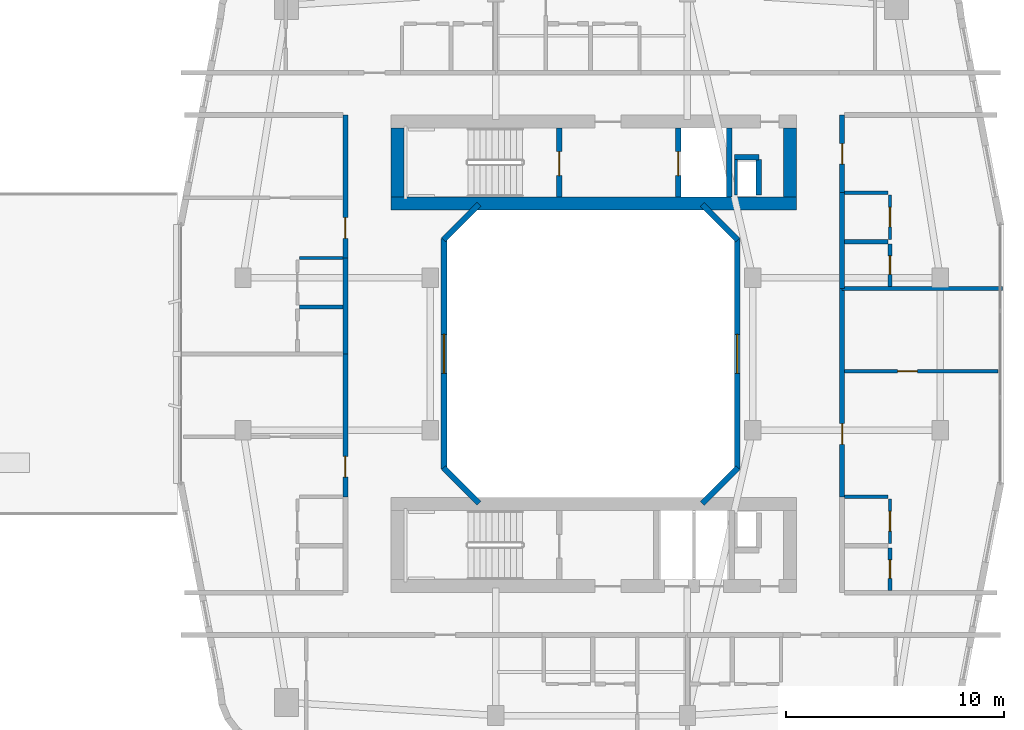
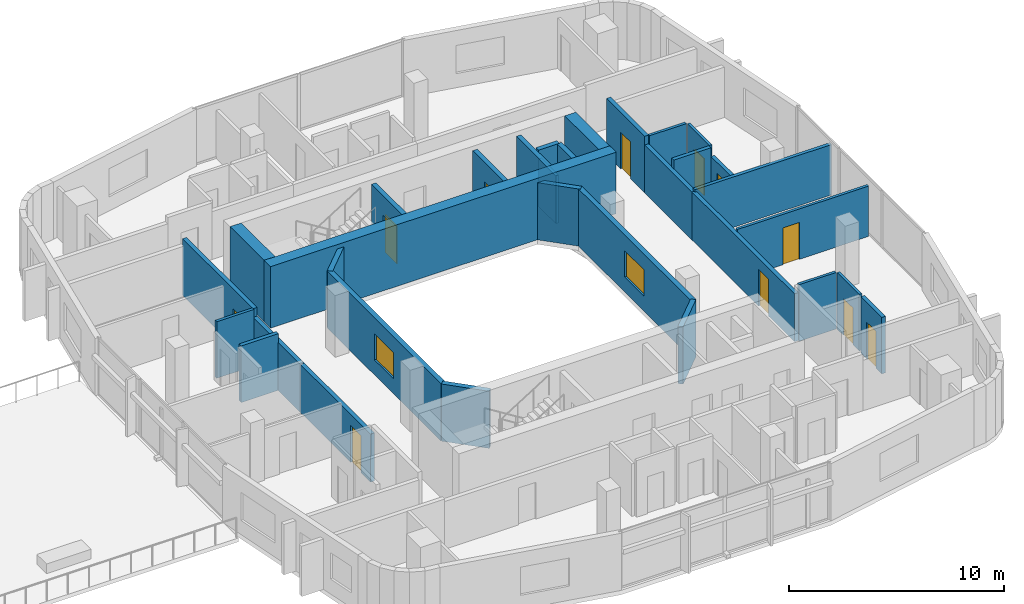
# One storey, part 18 of 25: 32 walls, 11 doors, 2 windows, 13 openings.
"""IFC4 building model written with IfcOpenShell, lengths in metres."""

from ifc_helpers import new_model, si_unit, derived_unit, direction, frame, frame_2d, origin, place, context, subcontext, project, spatial, rectangle, extrude, material, layer, layer_set, type_object, element, fill, save


model = new_model("IFC4")

# Units and contexts
model_context = context("Model", 3, precision=1e-05, world=origin(), true_north=direction((0.0, 1.0)))
body_context = subcontext(model_context, "Body", "Model", "MODEL_VIEW")
ifc_project = project(units=[si_unit("LENGTHUNIT", "METRE"), si_unit("AREAUNIT", "SQUARE_METRE"), si_unit("VOLUMEUNIT", "CUBIC_METRE"), si_unit("PLANEANGLEUNIT", "RADIAN"), si_unit("MASSUNIT", "GRAM", prefix="KILO"), derived_unit("THERMALTRANSMITTANCEUNIT", [(si_unit("POWERUNIT", "WATT"), 1), (si_unit("LENGTHUNIT", "METRE"), -2), (si_unit("THERMODYNAMICTEMPERATUREUNIT", "KELVIN"), -1)])], contexts=[model_context])

# Site, building, storey
site_placement = place(None, origin())
site = spatial("IfcSite", under=ifc_project, at=site_placement, CompositionType="ELEMENT")
building_placement = place(site_placement, origin())
building = spatial("IfcBuilding", under=site, at=building_placement, Name="Kivonza Crest Hotel", CompositionType="ELEMENT")
storey_placement = place(building_placement, frame((0.0, 0.0, 24.0)))
storey = spatial("IfcBuildingStorey", under=building, at=storey_placement, Name="L05", CompositionType="ELEMENT", Elevation=24.0)

# Wall
ifc_material_1 = material(Name="High-density acoustic masonry inter-tenancy wall", Category="masonry")
ifc_layer_1 = layer(ifc_material_1, 0.179931640625)
ifc_layer_set_1 = layer_set([ifc_layer_1], Name="High-density acoustic masonry inter-tenancy wall")
wall_type_1 = type_object("IfcWallType", Name="WL-ACOU-180", PredefinedType="SOLIDWALL", material=ifc_layer_set_1)
wall_1_placement = place(storey_placement, frame((88.5, 28.0, 0.0), z_axis=(0.0, 0.0, 1.0), x_axis=(1.0, 0.0, 0.0)))
element("IfcWall", 1, at=wall_1_placement, inside=storey, type_object=wall_type_1, Name="L05 interior partition WA-L05-T2E-DIV1", PredefinedType="SOLIDWALL", context=body_context, shape_type="SweptSolid", body=[
    extrude(rectangle(XDim=7.360107421875, YDim=0.179931640625, at=frame_2d((3.68017578125, 0.0))), origin(), (0.0, 0.0, 1.0), 2.864990234375),
])

# Wall, opening, door
ifc_material_2 = material(Name="Autoclaved aerated concrete blockwork", Category="masonry")
ifc_layer_2 = layer(ifc_material_2, 0.219970703125)
ifc_layer_set_2 = layer_set([ifc_layer_2], Name="Autoclaved aerated concrete blockwork")
wall_type_2 = type_object("IfcWallType", Name="WL-ACOU-220", PredefinedType="SOLIDWALL", material=ifc_layer_set_2)
wall_2_placement = place(storey_placement, frame((65.699951171875, 18.43994140625, 0.0), z_axis=(0.0, 0.0, 1.0), x_axis=(0.0, 1.0, 0.0)))
wall_2 = element("IfcWall", 2, at=wall_2_placement, inside=storey, type_object=wall_type_2, Name="L05 interior partition WA-L05-A05-MCORR", PredefinedType="SOLIDWALL", context=body_context, shape_type="SweptSolid", body=[
    extrude(rectangle(XDim=6.56005859375, YDim=0.219970703125, at=frame_2d((3.280029296875, 0.0))), origin(), (0.0, 0.0, 1.0), 2.72509765625),
])
opening_1_placement = place(wall_2_placement, frame((0.905029296875, 0.0, 0.0)))
opening_1 = element("IfcOpeningElement", 3, at=opening_1_placement, cuts=wall_2, Name="Opening DU-60", PredefinedType="OPENING", context=body_context, shape_type="SweptSolid", body=[
    extrude(rectangle(XDim=0.949951171875, YDim=2.10009765625, at=frame_2d((0.47509765625, 1.050048828125))), frame((0.0, 0.1201171875, 0.0), z_axis=(0.0, -1.0, 0.0), x_axis=(1.0, 0.0, 0.0)), (0.0, 0.0, 1.0), 0.239990234375),
])
ifc_material_3 = material(Name="Hardwood timber oak", Category="wood")
door_type_1 = type_object("IfcDoorType", Name="DR-UNIT-950", OperationType="NOTDEFINED", PredefinedType="DOOR", material=ifc_material_3)
door_1_placement = place(opening_1_placement, origin())
door_1 = element("IfcDoor", 4, at=door_1_placement, inside=storey, type_object=door_type_1, Name="L05 A05 apartment entrance fire door", OperationType="SINGLE_SWING_LEFT", OverallHeight=2.10009765625, OverallWidth=0.949951171875, PredefinedType="DOOR", context=body_context, shape_type="SweptSolid", body=[
    extrude(rectangle(XDim=0.949951171875, YDim=2.10009765625, at=frame_2d((0.47509765625, 1.050048828125))), frame((0.0, 0.02490234375, 0.0), z_axis=(0.0, -1.0, 0.0), x_axis=(1.0, 0.0, 0.0)), (0.0, 0.0, 1.0), 0.050048828125),
])
fill(opening_1, door_1)

# Wall
wall_3_placement = place(storey_placement, frame((65.699951171875, 25.0, 0.0), z_axis=(0.0, 0.0, 1.0), x_axis=(0.0, 1.0, 0.0)))
element("IfcWall", 5, at=wall_3_placement, inside=storey, type_object=wall_type_2, Name="L05 interior partition WA-L05-A06-BCORR", PredefinedType="SOLIDWALL", context=body_context, shape_type="SweptSolid", body=[
    extrude(rectangle(XDim=4.39990234375, YDim=0.219970703125, at=frame_2d((2.199951171875, 0.0))), origin(), (0.0, 0.0, 1.0), 2.72509765625),
])

# Wall, opening, door
wall_4_placement = place(storey_placement, frame((65.699951171875, 29.39990234375, 0.0), z_axis=(0.0, 0.0, 1.0), x_axis=(0.0, 1.0, 0.0)))
wall_4 = element("IfcWall", 6, at=wall_4_placement, inside=storey, type_object=wall_type_2, Name="L05 interior partition WA-L05-A06-MCORR", PredefinedType="SOLIDWALL", context=body_context, shape_type="SweptSolid", body=[
    extrude(rectangle(XDim=6.56005859375, YDim=0.219970703125, at=frame_2d((3.280029296875, 0.0))), origin(), (0.0, 0.0, 1.0), 3.219970703125),
])
opening_2_placement = place(wall_4_placement, frame((0.905029296875, 0.0, 0.0)))
opening_2 = element("IfcOpeningElement", 7, at=opening_2_placement, cuts=wall_4, Name="Opening DU-60", PredefinedType="OPENING", context=body_context, shape_type="SweptSolid", body=[
    extrude(rectangle(XDim=0.949951171875, YDim=2.10009765625, at=frame_2d((0.47509765625, 1.050048828125))), frame((0.0, 0.1201171875, 0.0), z_axis=(0.0, -1.0, 0.0), x_axis=(1.0, 0.0, 0.0)), (0.0, 0.0, 1.0), 0.239990234375),
])
door_2_placement = place(opening_2_placement, origin())
door_2 = element("IfcDoor", 8, at=door_2_placement, inside=storey, type_object=door_type_1, Name="L05 A06 apartment entrance fire door", OperationType="SINGLE_SWING_RIGHT", OverallHeight=2.10009765625, OverallWidth=0.949951171875, PredefinedType="DOOR", context=body_context, shape_type="SweptSolid", body=[
    extrude(rectangle(XDim=0.949951171875, YDim=2.10009765625, at=frame_2d((0.47509765625, 1.050048828125))), frame((0.0, 0.02490234375, 0.0), z_axis=(0.0, -1.0, 0.0), x_axis=(1.0, 0.0, 0.0)), (0.0, 0.0, 1.0), 0.050048828125),
])
fill(opening_2, door_2)

wall_5_placement = place(storey_placement, frame((88.5, 18.43994140625, 0.0), z_axis=(0.0, 0.0, 1.0), x_axis=(0.0, 1.0, 0.0)))
wall_5 = element("IfcWall", 9, at=wall_5_placement, inside=storey, type_object=wall_type_2, Name="L05 interior partition WA-L05-A07-MCORR", PredefinedType="SOLIDWALL", context=body_context, shape_type="SweptSolid", body=[
    extrude(rectangle(XDim=9.56005859375, YDim=0.219970703125, at=frame_2d((4.780029296875, 0.0))), origin(), (0.0, 0.0, 1.0), 2.72509765625),
])
opening_3_placement = place(wall_5_placement, frame((2.405029296875, 0.0, 0.0)))
opening_3 = element("IfcOpeningElement", 10, at=opening_3_placement, cuts=wall_5, Name="Opening DU-60", PredefinedType="OPENING", context=body_context, shape_type="SweptSolid", body=[
    extrude(rectangle(XDim=0.949951171875, YDim=2.10009765625, at=frame_2d((0.47509765625, 1.050048828125))), frame((0.0, 0.1201171875, 0.0), z_axis=(0.0, -1.0, 0.0), x_axis=(1.0, 0.0, 0.0)), (0.0, 0.0, 1.0), 0.239990234375),
])
door_3_placement = place(opening_3_placement, frame((0.949951171875, 0.0, 0.0), z_axis=(0.0, 0.0, 1.0), x_axis=(-1.0, 0.0, 0.0)))
door_3 = element("IfcDoor", 11, at=door_3_placement, inside=storey, type_object=door_type_1, Name="L05 A07 apartment entrance fire door", OperationType="SINGLE_SWING_LEFT", OverallHeight=2.10009765625, OverallWidth=0.949951171875, PredefinedType="DOOR", context=body_context, shape_type="SweptSolid", body=[
    extrude(rectangle(XDim=0.949951171875, YDim=2.10009765625, at=frame_2d((0.47509765625, 1.050048828125))), frame((0.0, 0.02490234375, 0.0), z_axis=(0.0, -1.0, 0.0), x_axis=(1.0, 0.0, 0.0)), (0.0, 0.0, 1.0), 0.050048828125),
])
fill(opening_3, door_3)

# Wall
wall_6_placement = place(storey_placement, frame((88.5, 28.0, 0.0), z_axis=(0.0, 0.0, 1.0), x_axis=(0.0, 1.0, 0.0)))
element("IfcWall", 12, at=wall_6_placement, inside=storey, type_object=wall_type_2, Name="L05 interior partition WA-L05-A08-BCORR", PredefinedType="SOLIDWALL", context=body_context, shape_type="SweptSolid", body=[
    extrude(rectangle(XDim=4.39990234375, YDim=0.219970703125, at=frame_2d((2.199951171875, 0.0))), origin(), (0.0, 0.0, 1.0), 2.72509765625),
])

# Wall, opening, door
wall_7_placement = place(storey_placement, frame((88.5, 32.39990234375, 0.0), z_axis=(0.0, 0.0, 1.0), x_axis=(0.0, 1.0, 0.0)))
wall_7 = element("IfcWall", 13, at=wall_7_placement, inside=storey, type_object=wall_type_2, Name="L05 interior partition WA-L05-A08-MCORR", PredefinedType="SOLIDWALL", context=body_context, shape_type="SweptSolid", body=[
    extrude(rectangle(XDim=3.56005859375, YDim=0.219970703125, at=frame_2d((1.780029296875, 0.0))), origin(), (0.0, 0.0, 1.0), 3.219970703125),
])
opening_4_placement = place(wall_7_placement, frame((1.304931640625, 0.0, 0.0)))
opening_4 = element("IfcOpeningElement", 14, at=opening_4_placement, cuts=wall_7, Name="Opening DU-60", PredefinedType="OPENING", context=body_context, shape_type="SweptSolid", body=[
    extrude(rectangle(XDim=0.949951171875, YDim=2.10009765625, at=frame_2d((0.47509765625, 1.050048828125))), frame((0.0, 0.1201171875, 0.0), z_axis=(0.0, -1.0, 0.0), x_axis=(1.0, 0.0, 0.0)), (0.0, 0.0, 1.0), 0.239990234375),
])
door_4_placement = place(opening_4_placement, frame((0.949951171875, 0.0, 0.0), z_axis=(0.0, 0.0, 1.0), x_axis=(-1.0, 0.0, 0.0)))
door_4 = element("IfcDoor", 15, at=door_4_placement, inside=storey, type_object=door_type_1, Name="L05 A08 apartment entrance fire door", OperationType="SINGLE_SWING_RIGHT", OverallHeight=2.10009765625, OverallWidth=0.949951171875, PredefinedType="DOOR", context=body_context, shape_type="SweptSolid", body=[
    extrude(rectangle(XDim=0.949951171875, YDim=2.10009765625, at=frame_2d((0.47509765625, 1.050048828125))), frame((0.0, 0.02490234375, 0.0), z_axis=(0.0, -1.0, 0.0), x_axis=(1.0, 0.0, 0.0)), (0.0, 0.0, 1.0), 0.050048828125),
])
fill(opening_4, door_4)

# Walls
ifc_material_4 = material(Name="Concrete C60/75", Category="concrete")
ifc_layer_3 = layer(ifc_material_4, 0.60009765625)
ifc_layer_set_3 = layer_set([ifc_layer_3], Name="Concrete C60/75")
wall_type_3 = type_object("IfcWallType", Name="WL-CORE-600", PredefinedType="SHEAR", material=ifc_layer_set_3)
wall_8_placement = place(storey_placement, frame((67.800048828125, 31.89990234375, 0.0), z_axis=(0.0, 0.0, 1.0), x_axis=(1.0, 0.0, 0.0)))
element("IfcWall", 16, at=wall_8_placement, inside=storey, type_object=wall_type_3, Name="Core wall T2-N South L05", PredefinedType="SHEAR", context=body_context, shape_type="SweptSolid", body=[
    extrude(rectangle(XDim=18.599853515625, YDim=0.60009765625, at=frame_2d((9.2998046875, 0.0))), origin(), (0.0, 0.0, 1.0), 3.5),
])
for number, where, z_axis, x_axis, name in (
    (17, (68.10009765625, 32.199951171875, 0.0), (0.0, 0.0, 1.0), (0.0, 1.0, 0.0), "Core wall T2-N West L05"),
    (18, (86.10009765625, 32.199951171875, 0.0), (0.0, 0.0, 1.0), (0.0, 1.0, 0.0), "Core wall T2-N East L05"),
):
    element("IfcWall", number, at=place(storey_placement, frame(where, z_axis=z_axis, x_axis=x_axis)), inside=storey, type_object=wall_type_3, Name=name, PredefinedType="SHEAR", context=body_context, shape_type="SweptSolid", body=[
        extrude(rectangle(XDim=3.16015625, YDim=0.60009765625, at=frame_2d((1.580078125, 0.0))), origin(), (0.0, 0.0, 1.0), 3.5),
    ])
ifc_material_5 = material(Name="Precast concrete C40/50", Category="concrete")
ifc_layer_4 = layer(ifc_material_5, 0.260009765625)
ifc_layer_set_4 = layer_set([ifc_layer_4], Name="Precast concrete C40/50")
wall_type_4 = type_object("IfcWallType", Name="WL-EXT-260", PredefinedType="STANDARD", material=ifc_layer_set_4)
wall_9_placement = place(storey_placement, frame((82.08203125, 18.137939453125, 0.0), z_axis=(0.0, 0.0, 1.0), x_axis=(0.707106781187, 0.707106781187, 0.0)))
element("IfcWall", 19, at=wall_9_placement, inside=storey, type_object=wall_type_4, Name="L05 T2 light-well exterior wall 2", PredefinedType="STANDARD", context=body_context, shape_type="SweptSolid", body=[
    extrude(rectangle(XDim=2.310791015625, YDim=0.260009765625, at=frame_2d((1.1552734375, 0.0))), origin(), (0.0, 0.0, 1.0), 3.25),
])

# Wall, opening, window
wall_10_placement = place(storey_placement, frame((83.68994140625, 19.7099609375, 0.0), z_axis=(0.0, 0.0, 1.0), x_axis=(0.0, 1.0, 0.0)))
wall_10 = element("IfcWall", 20, at=wall_10_placement, inside=storey, type_object=wall_type_4, Name="L05 T2 light-well exterior wall 3", PredefinedType="STANDARD", context=body_context, shape_type="SweptSolid", body=[
    extrude(rectangle(XDim=10.580078125, YDim=0.260009765625, at=frame_2d((5.2900390625, 0.0))), origin(), (0.0, 0.0, 1.0), 3.25),
])
opening_5_placement = place(wall_10_placement, frame((4.389892578125, 0.0, 0.85009765625)))
opening_5 = element("IfcOpeningElement", 21, at=opening_5_placement, cuts=wall_10, Name="Opening WN-03", PredefinedType="OPENING", context=body_context, shape_type="SweptSolid", body=[
    extrude(rectangle(XDim=1.800048828125, YDim=1.5, at=frame_2d((0.89990234375, 0.75))), frame((0.0, 0.14013671875, 0.0), z_axis=(0.0, -1.0, 0.0), x_axis=(1.0, 0.0, 0.0)), (0.0, 0.0, 1.0), 0.280029296875),
])
ifc_material_6 = material(Name="Thermally broken bronze aluminium and low-E double glazing", Category="aluminium")
window_type = type_object("IfcWindowType", Name="WN-180x150", PartitioningType="DOUBLE_PANEL_VERTICAL", PredefinedType="WINDOW", material=ifc_material_6)
window_1_placement = place(opening_5_placement, origin())
window_1 = element("IfcWindow", 22, at=window_1_placement, inside=storey, type_object=window_type, Name="L05 T2 light-well window 3", OverallHeight=1.5, OverallWidth=1.800048828125, PartitioningType="SINGLE_PANEL", PredefinedType="WINDOW", context=body_context, shape_type="SweptSolid", body=[
    extrude(rectangle(XDim=1.800048828125, YDim=1.5, at=frame_2d((0.89990234375, 0.75))), frame((0.0, 0.030029296875, 0.0), z_axis=(0.0, -1.0, 0.0), x_axis=(1.0, 0.0, 0.0)), (0.0, 0.0, 1.0), 0.06005859375),
])
fill(opening_5, window_1)

# Walls
for number, where, z_axis, x_axis, name in (
    (23, (83.716064453125, 30.22802734375, 0.0), (0.0, 0.0, 1.0), (-0.707106781187, 0.707106781187, 0.0), "L05 T2 light-well exterior wall 4"),
    (24, (71.837890625, 31.862060546875, 0.0), (0.0, 0.0, 1.0), (-0.707053950914, -0.707159607512, 0.0), "L05 T2 light-well exterior wall 6"),
):
    element("IfcWall", number, at=place(storey_placement, frame(where, z_axis=z_axis, x_axis=x_axis)), inside=storey, type_object=wall_type_4, Name=name, PredefinedType="STANDARD", context=body_context, shape_type="SweptSolid", body=[
        extrude(rectangle(XDim=2.310791015625, YDim=0.260009765625, at=frame_2d((1.1552734375, 0.0))), origin(), (0.0, 0.0, 1.0), 3.25),
    ])

# Wall, opening, window
wall_11_placement = place(storey_placement, frame((70.22998046875, 30.2900390625, 0.0), z_axis=(0.0, 0.0, 1.0), x_axis=(0.0, -1.0, 0.0)))
wall_11 = element("IfcWall", 25, at=wall_11_placement, inside=storey, type_object=wall_type_4, Name="L05 T2 light-well exterior wall 7", PredefinedType="STANDARD", context=body_context, shape_type="SweptSolid", body=[
    extrude(rectangle(XDim=10.580078125, YDim=0.260009765625, at=frame_2d((5.2900390625, 0.0))), origin(), (0.0, 0.0, 1.0), 3.25),
])
opening_6_placement = place(wall_11_placement, frame((4.389892578125, 0.0, 0.85009765625)))
opening_6 = element("IfcOpeningElement", 26, at=opening_6_placement, cuts=wall_11, Name="Opening WN-03", PredefinedType="OPENING", context=body_context, shape_type="SweptSolid", body=[
    extrude(rectangle(XDim=1.800048828125, YDim=1.5, at=frame_2d((0.89990234375, 0.75))), frame((0.0, 0.14013671875, 0.0), z_axis=(0.0, -1.0, 0.0), x_axis=(1.0, 0.0, 0.0)), (0.0, 0.0, 1.0), 0.280029296875),
])
window_2_placement = place(opening_6_placement, origin())
window_2 = element("IfcWindow", 27, at=window_2_placement, inside=storey, type_object=window_type, Name="L05 T2 light-well window 7", OverallHeight=1.5, OverallWidth=1.800048828125, PartitioningType="SINGLE_PANEL", PredefinedType="WINDOW", context=body_context, shape_type="SweptSolid", body=[
    extrude(rectangle(XDim=1.800048828125, YDim=1.5, at=frame_2d((0.89990234375, 0.75))), frame((0.0, 0.030029296875, 0.0), z_axis=(0.0, -1.0, 0.0), x_axis=(1.0, 0.0, 0.0)), (0.0, 0.0, 1.0), 0.06005859375),
])
fill(opening_6, window_2)

# Walls
wall_12_placement = place(storey_placement, frame((70.2041015625, 19.77197265625, 0.0), z_axis=(0.0, 0.0, 1.0), x_axis=(0.707053950914, -0.707159607512, 0.0)))
element("IfcWall", 28, at=wall_12_placement, inside=storey, type_object=wall_type_4, Name="L05 T2 light-well exterior wall 8", PredefinedType="STANDARD", context=body_context, shape_type="SweptSolid", body=[
    extrude(rectangle(XDim=2.310791015625, YDim=0.260009765625, at=frame_2d((1.1552734375, 0.0))), origin(), (0.0, 0.0, 1.0), 3.25),
])
ifc_material_7 = material(Name="Concrete blockwork fire-compartment wall", Category="masonry")
ifc_layer_5 = layer(ifc_material_7, 0.25)
ifc_layer_set_5 = layer_set([ifc_layer_5], Name="Concrete blockwork fire-compartment wall")
wall_type_5 = type_object("IfcWallType", Name="WL-FIRE-250", PredefinedType="SOLIDWALL", material=ifc_layer_set_5)
wall_13_placement = place(storey_placement, frame((84.679931640625, 32.300048828125, 0.0), z_axis=(0.0, 0.0, 1.0), x_axis=(0.0, 1.0, 0.0)))
element("IfcWall", 29, at=wall_13_placement, inside=storey, type_object=wall_type_5, Name="L05 interior partition WA-L05-T2-N-MEPR-E", PredefinedType="SOLIDWALL", context=body_context, shape_type="SweptSolid", body=[
    extrude(rectangle(XDim=1.619873046875, YDim=0.25, at=frame_2d((0.81005859375, 0.0))), origin(), (0.0, 0.0, 1.0), 3.219970703125),
])
wall_14_placement = place(storey_placement, frame((83.550048828125, 34.02001953125, 0.0), z_axis=(0.0, 0.0, 1.0), x_axis=(1.0, 0.0, 0.0)))
element("IfcWall", 30, at=wall_14_placement, inside=storey, type_object=wall_type_5, Name="L05 interior partition WA-L05-T2-N-MEPR-H", PredefinedType="SOLIDWALL", context=body_context, shape_type="SweptSolid", body=[
    extrude(rectangle(XDim=1.1298828125, YDim=0.25, at=frame_2d((0.56494140625, 0.0))), origin(), (0.0, 0.0, 1.0), 3.219970703125),
])
ifc_material_8 = material(Name="Twin-stud acoustic gypsum board partition", Category="gypsum")
ifc_layer_6 = layer(ifc_material_8, 0.14990234375)
ifc_layer_set_6 = layer_set([ifc_layer_6], Name="Twin-stud acoustic gypsum board partition")
wall_type_6 = type_object("IfcWallType", Name="WL-PART-150", PredefinedType="PARTITIONING", material=ifc_layer_set_6)
wall_15_placement = place(storey_placement, frame((83.6298828125, 32.300048828125, 0.0), z_axis=(0.0, 0.0, 1.0), x_axis=(0.0, 1.0, 0.0)))
element("IfcWall", 31, at=wall_15_placement, inside=storey, type_object=wall_type_6, Name="L05 interior partition WA-L05-T2-N-MEPR-W", PredefinedType="PARTITIONING", context=body_context, shape_type="SweptSolid", body=[
    extrude(rectangle(XDim=1.619873046875, YDim=0.14990234375, at=frame_2d((0.81005859375, 0.0))), origin(), (0.0, 0.0, 1.0), 2.72509765625),
])
wall_16_placement = place(storey_placement, frame((63.60009765625, 29.39990234375, 0.0), z_axis=(0.0, 0.0, 1.0), x_axis=(1.0, 0.0, 0.0)))
element("IfcWall", 32, at=wall_16_placement, inside=storey, type_object=wall_type_6, Name="L05 interior partition WP-L05-A06-KF", PredefinedType="PARTITIONING", context=body_context, shape_type="SweptSolid", body=[
    extrude(rectangle(XDim=2.0, YDim=0.14990234375, at=frame_2d((1.0, 0.0))), origin(), (0.0, 0.0, 1.0), 3.219970703125),
])

# Wall, opening, door
wall_17_placement = place(storey_placement, frame((88.60009765625, 24.199951171875, 0.0), z_axis=(0.0, 0.0, 1.0), x_axis=(1.0, 0.0, 0.0)))
wall_17 = element("IfcWall", 33, at=wall_17_placement, inside=storey, type_object=wall_type_6, Name="L05 interior partition WP-L05-A07-BD1", PredefinedType="PARTITIONING", context=body_context, shape_type="SweptSolid", body=[
    extrude(rectangle(XDim=7.059814453125, YDim=0.14990234375, at=frame_2d((3.52978515625, 0.0))), origin(), (0.0, 0.0, 1.0), 2.864990234375),
])
opening_7_placement = place(wall_17_placement, frame((2.449951171875, 0.0, 0.0)))
opening_7 = element("IfcOpeningElement", 34, at=opening_7_placement, cuts=wall_17, Name="Opening DI-90", PredefinedType="OPENING", context=body_context, shape_type="SweptSolid", body=[
    extrude(rectangle(XDim=0.89990234375, YDim=2.10009765625, at=frame_2d((0.449951171875, 1.050048828125))), frame((0.0, 0.0849609375, 0.0), z_axis=(0.0, -1.0, 0.0), x_axis=(1.0, 0.0, 0.0)), (0.0, 0.0, 1.0), 0.169921875),
])
door_type_2 = type_object("IfcDoorType", Name="DR-INT-900", OperationType="NOTDEFINED", PredefinedType="DOOR", material=ifc_material_3)
door_5_placement = place(opening_7_placement, origin())
door_5 = element("IfcDoor", 35, at=door_5_placement, inside=storey, type_object=door_type_2, Name="L05 A07 bedroom door", OperationType="SINGLE_SWING_RIGHT", OverallHeight=2.10009765625, OverallWidth=0.89990234375, PredefinedType="DOOR", context=body_context, shape_type="SweptSolid", body=[
    extrude(rectangle(XDim=0.89990234375, YDim=2.10009765625, at=frame_2d((0.449951171875, 1.050048828125))), frame((0.0, 0.02490234375, 0.0), z_axis=(0.0, -1.0, 0.0), x_axis=(1.0, 0.0, 0.0)), (0.0, 0.0, 1.0), 0.050048828125),
])
fill(opening_7, door_5)

# Wall
wall_18_placement = place(storey_placement, frame((88.60009765625, 18.43994140625, 0.0), z_axis=(0.0, 0.0, 1.0), x_axis=(1.0, 0.0, 0.0)))
element("IfcWall", 36, at=wall_18_placement, inside=storey, type_object=wall_type_6, Name="L05 interior partition WP-L05-A07-KF", PredefinedType="PARTITIONING", context=body_context, shape_type="SweptSolid", body=[
    extrude(rectangle(XDim=2.0, YDim=0.14990234375, at=frame_2d((1.0, 0.0))), origin(), (0.0, 0.0, 1.0), 3.219970703125),
])

# Wall, opening, door
wall_19_placement = place(storey_placement, frame((90.699951171875, 16.2900390625, 0.0), z_axis=(0.0, 0.0, 1.0), x_axis=(0.0, 1.0, 0.0)))
wall_19 = element("IfcWall", 37, at=wall_19_placement, inside=storey, type_object=wall_type_6, Name="L05 interior partition WP-L05-A07-KSVC", PredefinedType="PARTITIONING", context=body_context, shape_type="SweptSolid", body=[
    extrude(rectangle(XDim=2.050048828125, YDim=0.14990234375, at=frame_2d((1.02490234375, 0.0))), origin(), (0.0, 0.0, 1.0), 3.219970703125),
])
opening_8_placement = place(wall_19_placement, frame((0.574951171875, 0.0, 0.0)))
opening_8 = element("IfcOpeningElement", 38, at=opening_8_placement, cuts=wall_19, Name="Opening DI-90", PredefinedType="OPENING", context=body_context, shape_type="SweptSolid", body=[
    extrude(rectangle(XDim=0.89990234375, YDim=2.10009765625, at=frame_2d((0.449951171875, 1.050048828125))), frame((0.0, 0.0849609375, 0.0), z_axis=(0.0, -1.0, 0.0), x_axis=(1.0, 0.0, 0.0)), (0.0, 0.0, 1.0), 0.169921875),
])
door_6_placement = place(opening_8_placement, frame((0.89990234375, 0.0, 0.0), z_axis=(0.0, 0.0, 1.0), x_axis=(-1.0, 0.0, 0.0)))
door_6 = element("IfcDoor", 39, at=door_6_placement, inside=storey, type_object=door_type_2, Name="L05 A07 apartment kitchen door", OperationType="SINGLE_SWING_LEFT", OverallHeight=2.10009765625, OverallWidth=0.89990234375, PredefinedType="DOOR", context=body_context, shape_type="SweptSolid", body=[
    extrude(rectangle(XDim=0.89990234375, YDim=2.10009765625, at=frame_2d((0.449951171875, 1.050048828125))), frame((0.0, 0.02490234375, 0.0), z_axis=(0.0, -1.0, 0.0), x_axis=(1.0, 0.0, 0.0)), (0.0, 0.0, 1.0), 0.050048828125),
])
fill(opening_8, door_6)

# Wall
wall_20_placement = place(storey_placement, frame((88.60009765625, 32.39990234375, 0.0), z_axis=(0.0, 0.0, 1.0), x_axis=(1.0, 0.0, 0.0)))
element("IfcWall", 40, at=wall_20_placement, inside=storey, type_object=wall_type_6, Name="L05 interior partition WP-L05-A08-KF", PredefinedType="PARTITIONING", context=body_context, shape_type="SweptSolid", body=[
    extrude(rectangle(XDim=2.0, YDim=0.14990234375, at=frame_2d((1.0, 0.0))), origin(), (0.0, 0.0, 1.0), 3.219970703125),
])

# Wall, opening, door
wall_21_placement = place(storey_placement, frame((90.699951171875, 30.25, 0.0), z_axis=(0.0, 0.0, 1.0), x_axis=(0.0, 1.0, 0.0)))
wall_21 = element("IfcWall", 41, at=wall_21_placement, inside=storey, type_object=wall_type_6, Name="L05 interior partition WP-L05-A08-KSVC", PredefinedType="PARTITIONING", context=body_context, shape_type="SweptSolid", body=[
    extrude(rectangle(XDim=2.050048828125, YDim=0.14990234375, at=frame_2d((1.02490234375, 0.0))), origin(), (0.0, 0.0, 1.0), 3.219970703125),
])
opening_9_placement = place(wall_21_placement, frame((0.574951171875, 0.0, 0.0)))
opening_9 = element("IfcOpeningElement", 42, at=opening_9_placement, cuts=wall_21, Name="Opening DI-90", PredefinedType="OPENING", context=body_context, shape_type="SweptSolid", body=[
    extrude(rectangle(XDim=0.89990234375, YDim=2.10009765625, at=frame_2d((0.449951171875, 1.050048828125))), frame((0.0, 0.0849609375, 0.0), z_axis=(0.0, -1.0, 0.0), x_axis=(1.0, 0.0, 0.0)), (0.0, 0.0, 1.0), 0.169921875),
])
door_7_placement = place(opening_9_placement, frame((0.89990234375, 0.0, 0.0), z_axis=(0.0, 0.0, 1.0), x_axis=(-1.0, 0.0, 0.0)))
door_7 = element("IfcDoor", 43, at=door_7_placement, inside=storey, type_object=door_type_2, Name="L05 A08 apartment kitchen door", OperationType="SINGLE_SWING_RIGHT", OverallHeight=2.10009765625, OverallWidth=0.89990234375, PredefinedType="DOOR", context=body_context, shape_type="SweptSolid", body=[
    extrude(rectangle(XDim=0.89990234375, YDim=2.10009765625, at=frame_2d((0.449951171875, 1.050048828125))), frame((0.0, 0.02490234375, 0.0), z_axis=(0.0, -1.0, 0.0), x_axis=(1.0, 0.0, 0.0)), (0.0, 0.0, 1.0), 0.050048828125),
])
fill(opening_9, door_7)

# Wall
ifc_material_9 = material(Name="Moisture-resistant plumbing chase partition wall", Category="gypsum")
ifc_layer_7 = layer(ifc_material_9, 0.199951171875)
ifc_layer_set_7 = layer_set([ifc_layer_7], Name="Moisture-resistant plumbing chase partition wall")
wall_type_7 = type_object("IfcWallType", Name="WL-PLUMB-200", PredefinedType="PLUMBINGWALL", material=ifc_layer_set_7)
wall_22_placement = place(storey_placement, frame((63.60009765625, 27.14990234375, 0.0), z_axis=(0.0, 0.0, 1.0), x_axis=(1.0, 0.0, 0.0)))
element("IfcWall", 44, at=wall_22_placement, inside=storey, type_object=wall_type_7, Name="L05 interior partition WW-L05-A06-BK", PredefinedType="PLUMBINGWALL", context=body_context, shape_type="SweptSolid", body=[
    extrude(rectangle(XDim=2.0, YDim=0.199951171875, at=frame_2d((1.0, 0.0))), origin(), (0.0, 0.0, 1.0), 3.219970703125),
])

# Wall, opening, door
wall_23_placement = place(storey_placement, frame((90.699951171875, 14.139892578125, 0.0), z_axis=(0.0, 0.0, 1.0), x_axis=(0.0, 1.0, 0.0)))
wall_23 = element("IfcWall", 45, at=wall_23_placement, inside=storey, type_object=wall_type_7, Name="L05 interior partition WW-L05-A07-BSVC", PredefinedType="PLUMBINGWALL", context=body_context, shape_type="SweptSolid", body=[
    extrude(rectangle(XDim=1.9501953125, YDim=0.199951171875, at=frame_2d((0.97509765625, 0.0))), origin(), (0.0, 0.0, 1.0), 3.219970703125),
])
opening_10_placement = place(wall_23_placement, frame((0.550048828125, 0.0, 0.0)))
opening_10 = element("IfcOpeningElement", 46, at=opening_10_placement, cuts=wall_23, Name="Opening DI-85", PredefinedType="OPENING", context=body_context, shape_type="SweptSolid", body=[
    extrude(rectangle(XDim=0.85009765625, YDim=2.10009765625, at=frame_2d((0.425048828125, 1.050048828125))), frame((0.0, 0.10986328125, 0.0), z_axis=(0.0, -1.0, 0.0), x_axis=(1.0, 0.0, 0.0)), (0.0, 0.0, 1.0), 0.219970703125),
])
door_type_3 = type_object("IfcDoorType", Name="DR-INT-850", OperationType="NOTDEFINED", PredefinedType="DOOR", material=ifc_material_3)
door_8_placement = place(opening_10_placement, frame((0.85009765625, 0.0, 0.0), z_axis=(0.0, 0.0, 1.0), x_axis=(-1.0, 0.0, 0.0)))
door_8 = element("IfcDoor", 47, at=door_8_placement, inside=storey, type_object=door_type_3, Name="L05 A07 apartment bathroom door", OperationType="SINGLE_SWING_RIGHT", OverallHeight=2.10009765625, OverallWidth=0.85009765625, PredefinedType="DOOR", context=body_context, shape_type="SweptSolid", body=[
    extrude(rectangle(XDim=0.85009765625, YDim=2.10009765625, at=frame_2d((0.425048828125, 1.050048828125))), frame((0.0, 0.02490234375, 0.0), z_axis=(0.0, -1.0, 0.0), x_axis=(1.0, 0.0, 0.0)), (0.0, 0.0, 1.0), 0.050048828125),
])
fill(opening_10, door_8)

# Wall
wall_24_placement = place(storey_placement, frame((88.60009765625, 30.14990234375, 0.0), z_axis=(0.0, 0.0, 1.0), x_axis=(1.0, 0.0, 0.0)))
element("IfcWall", 48, at=wall_24_placement, inside=storey, type_object=wall_type_7, Name="L05 interior partition WW-L05-A08-BK", PredefinedType="PLUMBINGWALL", context=body_context, shape_type="SweptSolid", body=[
    extrude(rectangle(XDim=2.0, YDim=0.199951171875, at=frame_2d((1.0, 0.0))), origin(), (0.0, 0.0, 1.0), 3.219970703125),
])

# Wall, opening, door
wall_25_placement = place(storey_placement, frame((90.699951171875, 28.10009765625, 0.0), z_axis=(0.0, 0.0, 1.0), x_axis=(0.0, 1.0, 0.0)))
wall_25 = element("IfcWall", 49, at=wall_25_placement, inside=storey, type_object=wall_type_7, Name="L05 interior partition WW-L05-A08-BSVC", PredefinedType="PLUMBINGWALL", context=body_context, shape_type="SweptSolid", body=[
    extrude(rectangle(XDim=1.949951171875, YDim=0.199951171875, at=frame_2d((0.97509765625, 0.0))), origin(), (0.0, 0.0, 1.0), 2.72509765625),
])
opening_11_placement = place(wall_25_placement, frame((0.550048828125, 0.0, 0.0)))
opening_11 = element("IfcOpeningElement", 50, at=opening_11_placement, cuts=wall_25, Name="Opening DI-85", PredefinedType="OPENING", context=body_context, shape_type="SweptSolid", body=[
    extrude(rectangle(XDim=0.85009765625, YDim=2.10009765625, at=frame_2d((0.425048828125, 1.050048828125))), frame((0.0, 0.10986328125, 0.0), z_axis=(0.0, -1.0, 0.0), x_axis=(1.0, 0.0, 0.0)), (0.0, 0.0, 1.0), 0.219970703125),
])
door_9_placement = place(opening_11_placement, frame((0.85009765625, 0.0, 0.0), z_axis=(0.0, 0.0, 1.0), x_axis=(-1.0, 0.0, 0.0)))
door_9 = element("IfcDoor", 51, at=door_9_placement, inside=storey, type_object=door_type_3, Name="L05 A08 apartment bathroom door", OperationType="SINGLE_SWING_LEFT", OverallHeight=2.10009765625, OverallWidth=0.85009765625, PredefinedType="DOOR", context=body_context, shape_type="SweptSolid", body=[
    extrude(rectangle(XDim=0.85009765625, YDim=2.10009765625, at=frame_2d((0.425048828125, 1.050048828125))), frame((0.0, 0.02490234375, 0.0), z_axis=(0.0, -1.0, 0.0), x_axis=(1.0, 0.0, 0.0)), (0.0, 0.0, 1.0), 0.050048828125),
])
fill(opening_11, door_9)

ifc_material_10 = material(Name="Concrete C50/60", Category="concrete")
ifc_layer_8 = layer(ifc_material_10, 0.25)
ifc_layer_set_8 = layer_set([ifc_layer_8], Name="Concrete C50/60")
wall_type_8 = type_object("IfcWallType", Name="WL-SHAFT-250", PredefinedType="STANDARD", material=ifc_layer_set_8)
wall_26_placement = place(storey_placement, frame((75.52490234375, 32.199951171875, 0.0), z_axis=(0.0, 0.0, 1.0), x_axis=(0.0, 1.0, 0.0)))
wall_26 = element("IfcWall", 52, at=wall_26_placement, inside=storey, type_object=wall_type_8, Name="Core shaft wall T2-N STAIR L05", PredefinedType="STANDARD", context=body_context, shape_type="SweptSolid", body=[
    extrude(rectangle(XDim=3.16015625, YDim=0.25, at=frame_2d((1.580078125, 0.0))), origin(), (0.0, 0.0, 1.0), 3.25),
])
opening_12_placement = place(wall_26_placement, frame((0.97998046875, 0.0, 0.0)))
opening_12 = element("IfcOpeningElement", 53, at=opening_12_placement, cuts=wall_26, Name="Opening DF-120", PredefinedType="OPENING", context=body_context, shape_type="SweptSolid", body=[
    extrude(rectangle(XDim=1.10009765625, YDim=2.14990234375, at=frame_2d((0.550048828125, 1.074951171875))), frame((0.0, 0.135009765625, 0.0), z_axis=(0.0, -1.0, 0.0), x_axis=(1.0, 0.0, 0.0)), (0.0, 0.0, 1.0), 0.27001953125),
])
ifc_material_11 = material(Name="Galvanised steel", Category="steel")
door_type_4 = type_object("IfcDoorType", Name="DR-FD120-1100", OperationType="NOTDEFINED", PredefinedType="DOOR", material=ifc_material_11)
door_10_placement = place(opening_12_placement, frame((1.10009765625, 0.0, 0.0), z_axis=(0.0, 0.0, 1.0), x_axis=(-1.0, 0.0, 0.0)))
door_10 = element("IfcDoor", 54, at=door_10_placement, inside=storey, type_object=door_type_4, Name="L05 T2-N stair fire door", OperationType="SINGLE_SWING_LEFT", OverallHeight=2.14990234375, OverallWidth=1.10009765625, PredefinedType="DOOR", context=body_context, shape_type="SweptSolid", body=[
    extrude(rectangle(XDim=1.10009765625, YDim=2.14990234375, at=frame_2d((0.550048828125, 1.074951171875))), frame((0.0, 0.02490234375, 0.0), z_axis=(0.0, -1.0, 0.0), x_axis=(1.0, 0.0, 0.0)), (0.0, 0.0, 1.0), 0.050048828125),
])
fill(opening_12, door_10)

wall_27_placement = place(storey_placement, frame((80.97509765625, 32.199951171875, 0.0), z_axis=(0.0, 0.0, 1.0), x_axis=(0.0, 1.0, 0.0)))
wall_27 = element("IfcWall", 55, at=wall_27_placement, inside=storey, type_object=wall_type_8, Name="Core shaft wall T2-N FFL-W L05", PredefinedType="STANDARD", context=body_context, shape_type="SweptSolid", body=[
    extrude(rectangle(XDim=3.16015625, YDim=0.25, at=frame_2d((1.580078125, 0.0))), origin(), (0.0, 0.0, 1.0), 3.25),
])
opening_13_placement = place(wall_27_placement, frame((0.97998046875, 0.0, 0.0)))
opening_13 = element("IfcOpeningElement", 56, at=opening_13_placement, cuts=wall_27, Name="Opening LD-120", PredefinedType="OPENING", context=body_context, shape_type="SweptSolid", body=[
    extrude(rectangle(XDim=1.10009765625, YDim=2.14990234375, at=frame_2d((0.550048828125, 1.074951171875))), frame((0.0, 0.135009765625, 0.0), z_axis=(0.0, -1.0, 0.0), x_axis=(1.0, 0.0, 0.0)), (0.0, 0.0, 1.0), 0.27001953125),
])
ifc_material_12 = material(Name="Stainless steel", Category="steel")
door_type_5 = type_object("IfcDoorType", Name="DR-LD120-1100", OperationType="NOTDEFINED", PredefinedType="DOOR", material=ifc_material_12)
door_11_placement = place(opening_13_placement, origin())
door_11 = element("IfcDoor", 57, at=door_11_placement, inside=storey, type_object=door_type_5, Name="L05 FFL-T2 firefighting lift sliding landing door", OperationType="DOUBLE_DOOR_SLIDING", OverallHeight=2.14990234375, OverallWidth=1.10009765625, PredefinedType="DOOR", context=body_context, shape_type="SweptSolid", body=[
    extrude(rectangle(XDim=1.10009765625, YDim=2.14990234375, at=frame_2d((0.550048828125, 1.074951171875))), frame((0.0, 0.02490234375, 0.0), z_axis=(0.0, -1.0, 0.0), x_axis=(1.0, 0.0, 0.0)), (0.0, 0.0, 1.0), 0.050048828125),
])
fill(opening_13, door_11)

# Wall
wall_28_placement = place(storey_placement, frame((83.324951171875, 32.199951171875, 0.0), z_axis=(0.0, 0.0, 1.0), x_axis=(0.0, 1.0, 0.0)))
element("IfcWall", 58, at=wall_28_placement, inside=storey, type_object=wall_type_8, Name="Core shaft wall T2-N FFL-E L05", PredefinedType="STANDARD", context=body_context, shape_type="SweptSolid", body=[
    extrude(rectangle(XDim=3.16015625, YDim=0.25, at=frame_2d((1.580078125, 0.0))), origin(), (0.0, 0.0, 1.0), 3.25),
])

save(model, "model.ifc")
